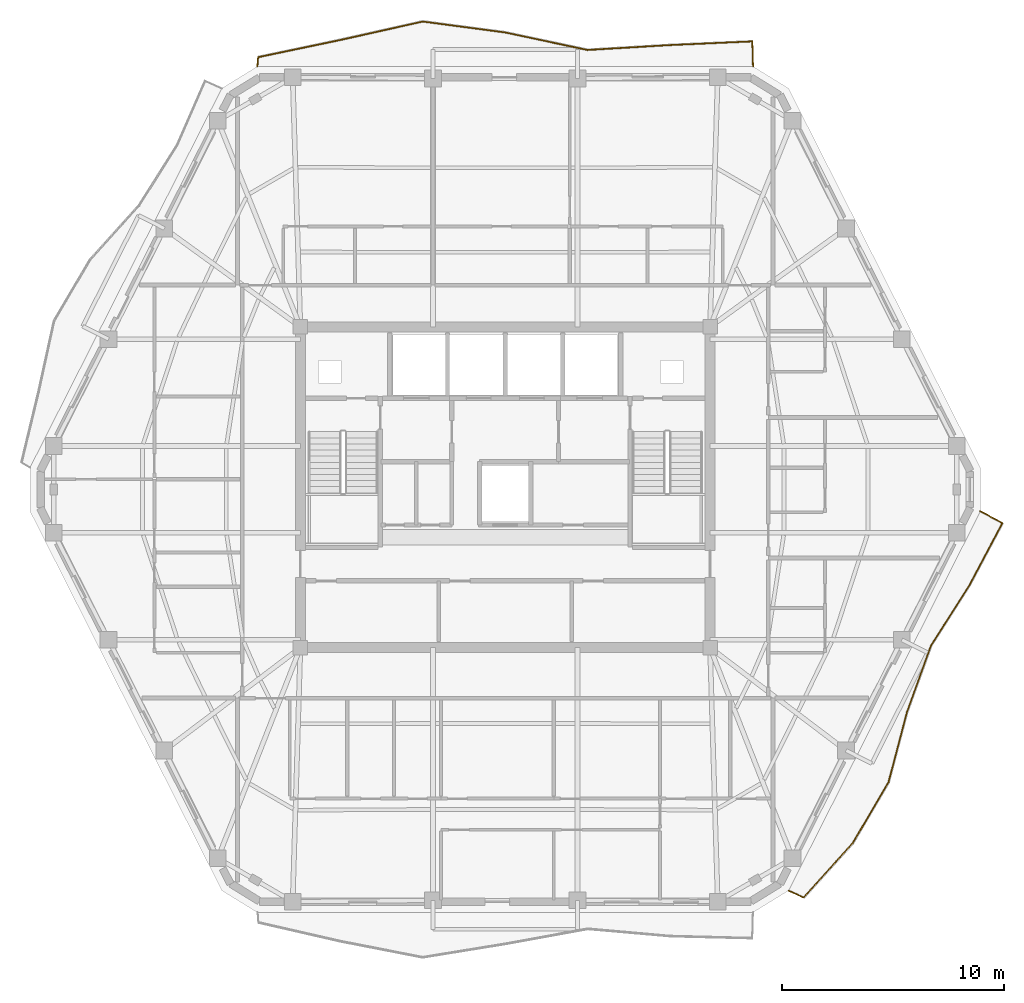
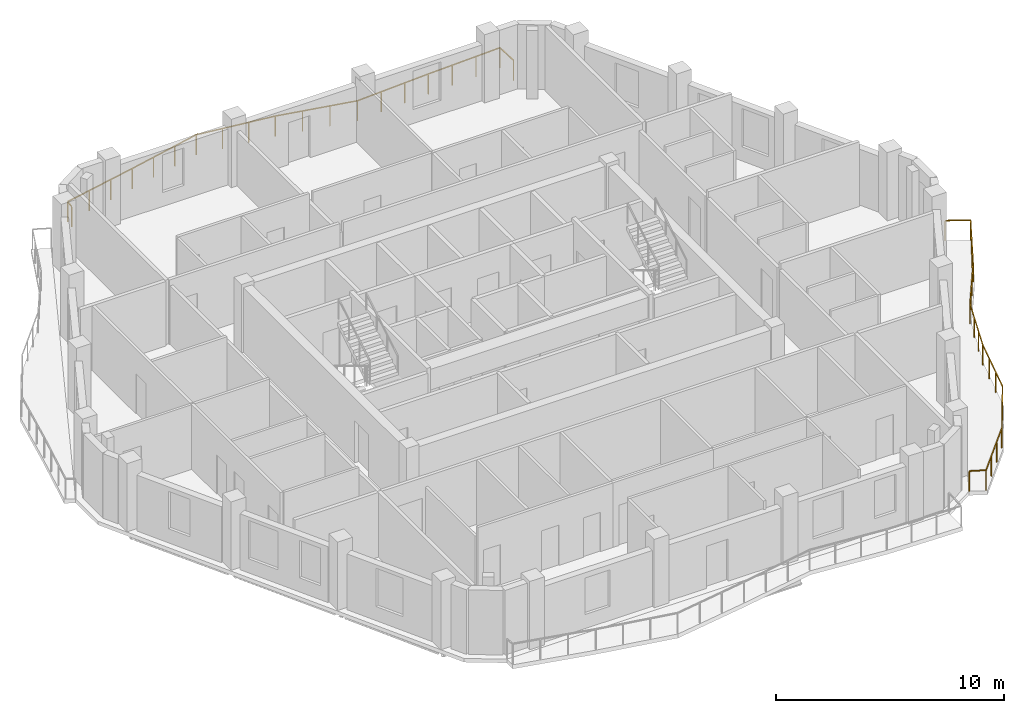
# One storey, part 11 of 11: 2 railings.
"""IFC4 building model written with IfcOpenShell, lengths in metres."""

from ifc_helpers import new_model, si_unit, direction, frame, origin, origin_2d, place, context, subcontext, project, spatial, rectangle, extrude, material, type_object, element, save


model = new_model("IFC4")

# Units and contexts
model_context = context("Model", 3, precision=1e-05, world=origin(), true_north=direction((0.0, 1.0)))
body_context = subcontext(model_context, "Body", "Model", "MODEL_VIEW")
ifc_project = project(units=[si_unit("LENGTHUNIT", "METRE"), si_unit("AREAUNIT", "SQUARE_METRE"), si_unit("VOLUMEUNIT", "CUBIC_METRE"), si_unit("PLANEANGLEUNIT", "RADIAN"), si_unit("MASSUNIT", "GRAM", prefix="KILO")], contexts=[model_context])

# Site, building, storey
site_placement = place(None, origin())
site = spatial("IfcSite", under=ifc_project, at=site_placement, CompositionType="ELEMENT")
building_placement = place(site_placement, origin())
building = spatial("IfcBuilding", under=site, at=building_placement, Name="Cinnabar Lancet Tower", CompositionType="ELEMENT")
storey_placement = place(building_placement, frame((0.0, 0.0, 252.550048828125)))
storey = spatial("IfcBuildingStorey", under=building, at=storey_placement, Name="L67", CompositionType="ELEMENT", Elevation=252.550048828125)

# Railings
ifc_material = material(Name="Laminated safety glass and bronze stainless steel balustrade", Category="steel")
railing_type = type_object("IfcRailingType", Name="ENV-RLG-BAL-1100", PredefinedType="BALUSTRADE", material=ifc_material)
railing_1_placement = place(storey_placement, frame((45.160888671875, 7.73193359375, 0.0)))
element("IfcRailing", 1, at=railing_1_placement, inside=storey, type_object=railing_type, Name="L67 Face 2 Wave Balcony Balustrade", PredefinedType="BALUSTRADE", context=body_context, shape_type="SweptSolid", body=[
    extrude(rectangle(XDim=0.048095703125, YDim=0.048095703125, at=origin_2d()), frame((0.0, 0.0, 1.076171875), z_axis=(0.911295274815, -0.411753472481, 0.0), x_axis=(0.411753472481, 0.911295274815, 0.0)), (0.0, 0.0, 1.0), 0.745361328125),
    extrude(rectangle(XDim=0.048095703125, YDim=0.048095703125, at=origin_2d()), frame((0.67919921875, -0.306884765625, 1.076171875), z_axis=(0.670407240981, 0.741993349862, 0.0), x_axis=(-0.741993349862, 0.670407240981, 0.0)), (0.0, 0.0, 1.0), 3.2978515625),
    extrude(rectangle(XDim=0.048095703125, YDim=0.048095703125, at=origin_2d()), frame((2.89013671875, 2.14013671875, 1.076171875), z_axis=(0.506440840862, 0.862274709537, 0.0), x_axis=(-0.862274709537, 0.506440840862, 0.0)), (0.0, 0.0, 1.0), 3.18701171875),
    extrude(rectangle(XDim=0.048095703125, YDim=0.048095703125, at=origin_2d()), frame((4.504150390625, 4.88818359375, 1.076171875), z_axis=(0.254135030853, 0.967168747475, 0.0), x_axis=(-0.967168747475, 0.254135030853, 0.0)), (0.0, 0.0, 1.0), 3.25390625),
    extrude(rectangle(XDim=0.048095703125, YDim=0.048095703125, at=origin_2d()), frame((5.3310546875, 8.03515625, 1.076171875), z_axis=(0.339582678235, 0.940576208844, 0.0), x_axis=(-0.940576208844, 0.339582678235, 0.0)), (0.0, 0.0, 1.0), 3.204345703125),
    extrude(rectangle(XDim=0.048095703125, YDim=0.048095703125, at=origin_2d()), frame((6.419189453125, 11.049072265625, 1.076171875), z_axis=(0.53811050602, 0.842874298642, 0.0), x_axis=(-0.842874298642, 0.53811050602, 0.0)), (0.0, 0.0, 1.0), 3.1962890625),
    extrude(rectangle(XDim=0.048095703125, YDim=0.048095703125, at=origin_2d()), frame((8.13916015625, 13.7431640625, 1.076171875), z_axis=(0.469317844433, 0.883029309194, 0.0), x_axis=(-0.883029309194, 0.469317844433, 0.0)), (0.0, 0.0, 1.0), 3.18310546875),
    extrude(rectangle(XDim=0.048095703125, YDim=0.048095703125, at=origin_2d()), frame((9.633056640625, 16.553955078125, 1.076171875), z_axis=(-0.880979350773, 0.473154714138, 0.0), x_axis=(-0.473154714138, -0.880979350773, 0.0)), (0.0, 0.0, 1.0), 1.124755859375),
    extrude(rectangle(XDim=0.0419921875, YDim=0.0419921875, at=origin_2d()), origin(), (0.0, 0.0, 1.0), 1.052001953125),
    extrude(rectangle(XDim=0.0419921875, YDim=0.0419921875, at=origin_2d()), frame((0.67919921875, -0.306884765625, 0.0)), (0.0, 0.0, 1.0), 1.052001953125),
    extrude(rectangle(XDim=0.0419921875, YDim=0.0419921875, at=origin_2d()), frame((1.416259765625, 0.5087890625, 0.0)), (0.0, 0.0, 1.0), 1.052001953125),
    extrude(rectangle(XDim=0.0419921875, YDim=0.0419921875, at=origin_2d()), frame((2.153076171875, 1.324462890625, 0.0)), (0.0, 0.0, 1.0), 1.052001953125),
    extrude(rectangle(XDim=0.0419921875, YDim=0.0419921875, at=origin_2d()), frame((2.89013671875, 2.14013671875, 0.0)), (0.0, 0.0, 1.0), 1.052001953125),
    extrude(rectangle(XDim=0.0419921875, YDim=0.0419921875, at=origin_2d()), frame((3.42822265625, 3.05615234375, 0.0)), (0.0, 0.0, 1.0), 1.052001953125),
    extrude(rectangle(XDim=0.0419921875, YDim=0.0419921875, at=origin_2d()), frame((3.966064453125, 3.97216796875, 0.0)), (0.0, 0.0, 1.0), 1.052001953125),
    extrude(rectangle(XDim=0.0419921875, YDim=0.0419921875, at=origin_2d()), frame((4.504150390625, 4.88818359375, 0.0)), (0.0, 0.0, 1.0), 1.052001953125),
    extrude(rectangle(XDim=0.0419921875, YDim=0.0419921875, at=origin_2d()), frame((4.77978515625, 5.937255859375, 0.0)), (0.0, 0.0, 1.0), 1.052001953125),
    extrude(rectangle(XDim=0.0419921875, YDim=0.0419921875, at=origin_2d()), frame((5.055419921875, 6.986083984375, 0.0)), (0.0, 0.0, 1.0), 1.052001953125),
    extrude(rectangle(XDim=0.0419921875, YDim=0.0419921875, at=origin_2d()), frame((5.3310546875, 8.03515625, 0.0)), (0.0, 0.0, 1.0), 1.052001953125),
    extrude(rectangle(XDim=0.0419921875, YDim=0.0419921875, at=origin_2d()), frame((5.69384765625, 9.039794921875, 0.0)), (0.0, 0.0, 1.0), 1.052001953125),
    extrude(rectangle(XDim=0.0419921875, YDim=0.0419921875, at=origin_2d()), frame((6.056396484375, 10.04443359375, 0.0)), (0.0, 0.0, 1.0), 1.052001953125),
    extrude(rectangle(XDim=0.0419921875, YDim=0.0419921875, at=origin_2d()), frame((6.419189453125, 11.049072265625, 0.0)), (0.0, 0.0, 1.0), 1.052001953125),
    extrude(rectangle(XDim=0.0419921875, YDim=0.0419921875, at=origin_2d()), frame((6.992431640625, 11.947021484375, 0.0)), (0.0, 0.0, 1.0), 1.052001953125),
    extrude(rectangle(XDim=0.0419921875, YDim=0.0419921875, at=origin_2d()), frame((7.56591796875, 12.84521484375, 0.0)), (0.0, 0.0, 1.0), 1.052001953125),
    extrude(rectangle(XDim=0.0419921875, YDim=0.0419921875, at=origin_2d()), frame((8.13916015625, 13.7431640625, 0.0)), (0.0, 0.0, 1.0), 1.052001953125),
    extrude(rectangle(XDim=0.0419921875, YDim=0.0419921875, at=origin_2d()), frame((8.63720703125, 14.68017578125, 0.0)), (0.0, 0.0, 1.0), 1.052001953125),
    extrude(rectangle(XDim=0.0419921875, YDim=0.0419921875, at=origin_2d()), frame((9.135009765625, 15.616943359375, 0.0)), (0.0, 0.0, 1.0), 1.052001953125),
    extrude(rectangle(XDim=0.0419921875, YDim=0.0419921875, at=origin_2d()), frame((9.633056640625, 16.553955078125, 0.0)), (0.0, 0.0, 1.0), 1.052001953125),
    extrude(rectangle(XDim=0.0419921875, YDim=0.0419921875, at=origin_2d()), frame((8.64208984375, 17.086181640625, 0.0)), (0.0, 0.0, 1.0), 1.052001953125),
])
railing_2_placement = place(storey_placement, frame((43.56396484375, 44.85009765625, 0.0)))
element("IfcRailing", 2, at=railing_2_placement, inside=storey, type_object=railing_type, Name="L67 Face 4 Wave Balcony Balustrade", PredefinedType="BALUSTRADE", context=body_context, shape_type="SweptSolid", body=[
    extrude(rectangle(XDim=0.048095703125, YDim=0.048095703125, at=origin_2d()), frame((0.0, 0.0, 1.076171875), z_axis=(-0.029995133036, 0.999550044767, 0.0), x_axis=(-0.999550044767, -0.029995133036, 0.0)), (0.0, 0.0, 1.0), 1.13134765625),
    extrude(rectangle(XDim=0.048095703125, YDim=0.048095703125, at=origin_2d()), frame((-0.033935546875, 1.130859375, 1.076171875), z_axis=(-0.998989035144, -0.044954506581, 0.0), x_axis=(0.044954506581, -0.998989035144, 0.0)), (0.0, 0.0, 1.0), 3.714599609375),
    extrude(rectangle(XDim=0.048095703125, YDim=0.048095703125, at=origin_2d()), frame((-3.744873046875, 0.9638671875, 1.076171875), z_axis=(-0.99823245612, -0.059430325162, 0.0), x_axis=(0.059430325162, -0.99823245612, 0.0)), (0.0, 0.0, 1.0), 3.7177734375),
    extrude(rectangle(XDim=0.048095703125, YDim=0.048095703125, at=origin_2d()), frame((-7.4560546875, 0.742919921875, 1.076171875), z_axis=(-0.978151648449, 0.207892646905, 0.0), x_axis=(-0.207892646905, -0.978151648449, 0.0)), (0.0, 0.0, 1.0), 3.790771484375),
    extrude(rectangle(XDim=0.048095703125, YDim=0.048095703125, at=origin_2d()), frame((-11.1640625, 1.531005859375, 1.076171875), z_axis=(-0.991284227756, 0.131740577662, 0.0), x_axis=(-0.131740577662, -0.991284227756, 0.0)), (0.0, 0.0, 1.0), 3.74169921875),
    extrude(rectangle(XDim=0.048095703125, YDim=0.048095703125, at=origin_2d()), frame((-14.873046875, 2.02392578125, 1.076171875), z_axis=(-0.975926446917, -0.218099908774, 0.0), x_axis=(0.218099908774, -0.975926446917, 0.0)), (0.0, 0.0, 1.0), 3.801513671875),
    extrude(rectangle(XDim=0.048095703125, YDim=0.048095703125, at=origin_2d()), frame((-18.5830078125, 1.19482421875, 1.076171875), z_axis=(-0.978720287882, -0.205198923216, 0.0), x_axis=(0.205198923216, -0.978720287882, 0.0)), (0.0, 0.0, 1.0), 3.79052734375),
    extrude(rectangle(XDim=0.048095703125, YDim=0.048095703125, at=origin_2d()), frame((-22.29296875, 0.4169921875, 1.076171875), z_axis=(-0.083431750347, -0.996513493654, 0.0), x_axis=(0.996513493654, -0.083431750347, 0.0)), (0.0, 0.0, 1.0), 0.41845703125),
    extrude(rectangle(XDim=0.0419921875, YDim=0.0419921875, at=origin_2d()), origin(), (0.0, 0.0, 1.0), 1.052001953125),
    extrude(rectangle(XDim=0.0419921875, YDim=0.0419921875, at=origin_2d()), frame((-0.033935546875, 1.130859375, 0.0)), (0.0, 0.0, 1.0), 1.052001953125),
    extrude(rectangle(XDim=0.0419921875, YDim=0.0419921875, at=origin_2d()), frame((-1.27099609375, 1.0751953125, 0.0)), (0.0, 0.0, 1.0), 1.052001953125),
    extrude(rectangle(XDim=0.0419921875, YDim=0.0419921875, at=origin_2d()), frame((-2.5078125, 1.01953125, 0.0)), (0.0, 0.0, 1.0), 1.052001953125),
    extrude(rectangle(XDim=0.0419921875, YDim=0.0419921875, at=origin_2d()), frame((-3.744873046875, 0.9638671875, 0.0)), (0.0, 0.0, 1.0), 1.052001953125),
    extrude(rectangle(XDim=0.0419921875, YDim=0.0419921875, at=origin_2d()), frame((-4.98193359375, 0.89013671875, 0.0)), (0.0, 0.0, 1.0), 1.052001953125),
    extrude(rectangle(XDim=0.0419921875, YDim=0.0419921875, at=origin_2d()), frame((-6.218994140625, 0.816650390625, 0.0)), (0.0, 0.0, 1.0), 1.052001953125),
    extrude(rectangle(XDim=0.0419921875, YDim=0.0419921875, at=origin_2d()), frame((-7.4560546875, 0.742919921875, 0.0)), (0.0, 0.0, 1.0), 1.052001953125),
    extrude(rectangle(XDim=0.0419921875, YDim=0.0419921875, at=origin_2d()), frame((-8.692138671875, 1.005615234375, 0.0)), (0.0, 0.0, 1.0), 1.052001953125),
    extrude(rectangle(XDim=0.0419921875, YDim=0.0419921875, at=origin_2d()), frame((-9.927978515625, 1.268310546875, 0.0)), (0.0, 0.0, 1.0), 1.052001953125),
    extrude(rectangle(XDim=0.0419921875, YDim=0.0419921875, at=origin_2d()), frame((-11.1640625, 1.531005859375, 0.0)), (0.0, 0.0, 1.0), 1.052001953125),
    extrude(rectangle(XDim=0.0419921875, YDim=0.0419921875, at=origin_2d()), frame((-12.400390625, 1.6953125, 0.0)), (0.0, 0.0, 1.0), 1.052001953125),
    extrude(rectangle(XDim=0.0419921875, YDim=0.0419921875, at=origin_2d()), frame((-13.63671875, 1.859619140625, 0.0)), (0.0, 0.0, 1.0), 1.052001953125),
    extrude(rectangle(XDim=0.0419921875, YDim=0.0419921875, at=origin_2d()), frame((-14.873046875, 2.02392578125, 0.0)), (0.0, 0.0, 1.0), 1.052001953125),
    extrude(rectangle(XDim=0.0419921875, YDim=0.0419921875, at=origin_2d()), frame((-16.109619140625, 1.74755859375, 0.0)), (0.0, 0.0, 1.0), 1.052001953125),
    extrude(rectangle(XDim=0.0419921875, YDim=0.0419921875, at=origin_2d()), frame((-17.346435546875, 1.47119140625, 0.0)), (0.0, 0.0, 1.0), 1.052001953125),
    extrude(rectangle(XDim=0.0419921875, YDim=0.0419921875, at=origin_2d()), frame((-18.5830078125, 1.19482421875, 0.0)), (0.0, 0.0, 1.0), 1.052001953125),
    extrude(rectangle(XDim=0.0419921875, YDim=0.0419921875, at=origin_2d()), frame((-19.819580078125, 0.935546875, 0.0)), (0.0, 0.0, 1.0), 1.052001953125),
    extrude(rectangle(XDim=0.0419921875, YDim=0.0419921875, at=origin_2d()), frame((-21.056396484375, 0.67626953125, 0.0)), (0.0, 0.0, 1.0), 1.052001953125),
    extrude(rectangle(XDim=0.0419921875, YDim=0.0419921875, at=origin_2d()), frame((-22.29296875, 0.4169921875, 0.0)), (0.0, 0.0, 1.0), 1.052001953125),
    extrude(rectangle(XDim=0.0419921875, YDim=0.0419921875, at=origin_2d()), frame((-22.327880859375, 0.0, 0.0)), (0.0, 0.0, 1.0), 1.052001953125),
])

save(model, "model.ifc")
